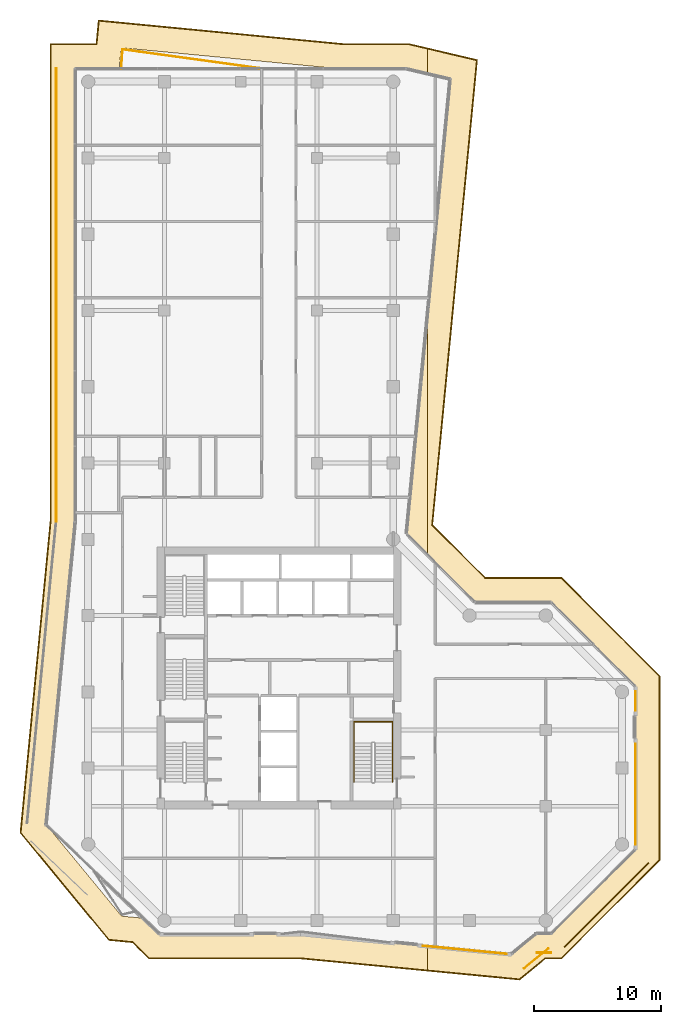
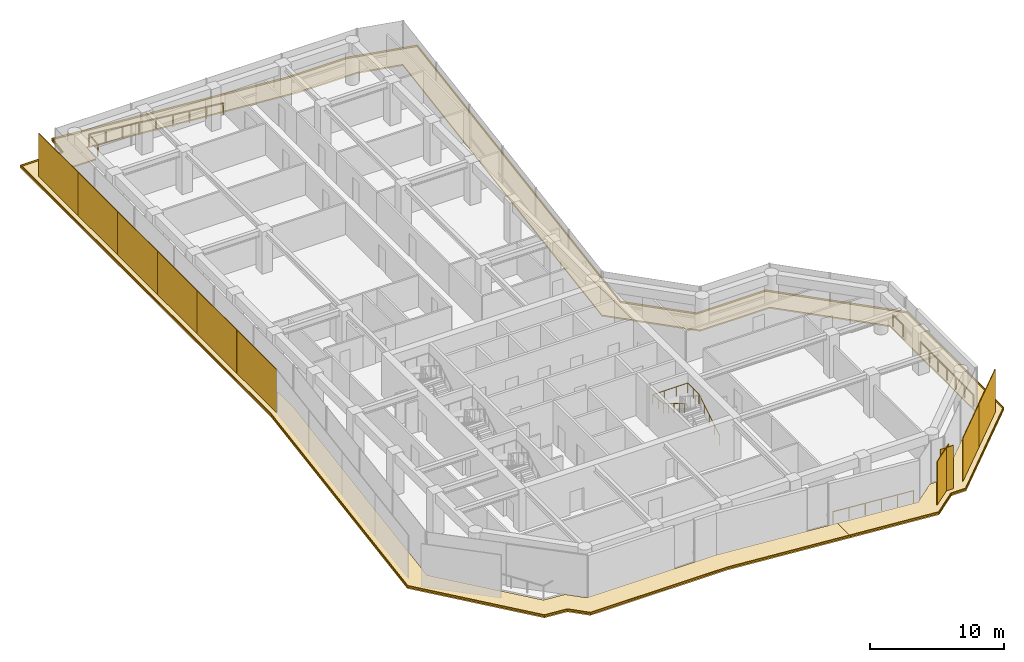
# One storey, part 23 of 23: 15 coverings, 5 railings.
"""IFC4 building model written with IfcOpenShell, lengths in metres."""

from ifc_helpers import new_model, si_unit, direction, frame, origin, origin_2d, place, context, subcontext, project, spatial, polyline, rectangle, circle, outline, extrude, material, layer, layer_set, type_object, element, save


model = new_model("IFC4")

# Units and contexts
model_context = context("Model", 3, precision=1e-05, world=origin(), true_north=direction((0.0, 1.0)))
body_context = subcontext(model_context, "Body", "Model", "MODEL_VIEW")
ifc_project = project(units=[si_unit("LENGTHUNIT", "METRE"), si_unit("AREAUNIT", "SQUARE_METRE"), si_unit("VOLUMEUNIT", "CUBIC_METRE"), si_unit("PLANEANGLEUNIT", "RADIAN"), si_unit("MASSUNIT", "GRAM", prefix="KILO")], contexts=[model_context])

# Site, building, storey
site_placement = place(None, origin())
site = spatial("IfcSite", under=ifc_project, at=site_placement, CompositionType="ELEMENT")
building_placement = place(site_placement, origin())
building = spatial("IfcBuilding", under=site, at=building_placement, Name="Welwitschia Terrace Campus", CompositionType="ELEMENT")
storey_placement = place(building_placement, frame((0.0, 0.0, 146.60009765625)))
storey = spatial("IfcBuildingStorey", under=building, at=storey_placement, Name="L32", CompositionType="ELEMENT", Elevation=146.60009765625)

# Coverings
ifc_material_1 = material(Name="Bronze mesh aluminium screen", Category="aluminium")
ifc_layer_1 = layer(ifc_material_1, 0.06005859375)
ifc_layer_set_1 = layer_set([ifc_layer_1], Name="Bronze mesh aluminium screen")
covering_type_1 = type_object("IfcCoveringType", Name="Bronze screen 60", PredefinedType="USERDEFINED", material=ifc_layer_set_1)
for number, where, z_axis, x_axis, name in (
    (1, (-2.51611328125, 60.08447265625, 0.0), (0.0, 0.0, 1.0), (0.0, -1.0, 0.0), "Screen L32.0.0"),
    (2, (-2.51611328125, 54.13720703125, 0.0), (0.0, 0.0, 1.0), (0.0, -1.0, 0.0), "Screen L32.0.1"),
    (3, (-2.51611328125, 48.18994140625, 0.0), (0.0, 0.0, 1.0), (0.0, -1.0, 0.0), "Screen L32.0.2"),
    (4, (-2.51611328125, 42.242919921875, 0.0), (0.0, 0.0, 1.0), (0.0, -1.0, 0.0), "Screen L32.0.3"),
    (5, (-2.51611328125, 36.295654296875, 0.0), (0.0, 0.0, 1.0), (0.0, -1.0, 0.0), "Screen L32.0.4"),
    (6, (-2.51611328125, 30.348388671875, 0.0), (0.0, 0.0, 1.0), (0.0, -1.0, 0.0), "Screen L32.0.5"),
):
    element("IfcCovering", number, at=place(storey_placement, frame(where, z_axis=z_axis, x_axis=x_axis)), inside=storey, type_object=covering_type_1, Name=name, ObjectType="SCREEN", PredefinedType="USERDEFINED", context=body_context, shape_type="SweptSolid", body=[
        extrude(rectangle(XDim=5.92724609375, YDim=0.06005859375, at=origin_2d()), origin(), (0.0, 0.0, 1.0), 3.949951171875),
    ])
covering_1_placement = place(storey_placement, frame((35.2333984375, -6.98388671875, 0.0), z_axis=(0.0, 0.0, 1.0), x_axis=(0.771624583388, 0.636078220278, 0.0)))
element("IfcCovering", 7, at=covering_1_placement, inside=storey, type_object=covering_type_1, Name="Screen L32.5.0", ObjectType="SCREEN", PredefinedType="USERDEFINED", context=body_context, shape_type="SweptSolid", body=[
    extrude(rectangle(XDim=2.498046875, YDim=0.06005859375, at=origin_2d()), origin(), (0.0, 0.0, 1.0), 3.949951171875),
])
covering_2_placement = place(storey_placement, frame((35.85791015625, -6.51611328125, 0.0), z_axis=(0.0, 0.0, 1.0), x_axis=(1.0, 0.0, 0.0)))
element("IfcCovering", 8, at=covering_2_placement, inside=storey, type_object=covering_type_1, Name="Screen L32.6.0", ObjectType="SCREEN", PredefinedType="USERDEFINED", context=body_context, shape_type="SweptSolid", body=[
    extrude(rectangle(XDim=1.140869140625, YDim=0.06005859375, at=origin_2d()), origin(), (0.0, 0.0, 1.0), 3.949951171875),
])
for number, where, z_axis, x_axis, name in (
    (9, (39.1240234375, -4.43408203125, 0.0), (0.0, 0.0, 1.0), (0.707106781187, 0.707106781187, 0.0), "Screen L32.7.0"),
    (10, (42.43408203125, -1.1240234375, 0.0), (0.0, 0.0, 1.0), (0.707106781187, 0.707106781187, 0.0), "Screen L32.7.1"),
):
    element("IfcCovering", number, at=place(storey_placement, frame(where, z_axis=z_axis, x_axis=x_axis)), inside=storey, type_object=covering_type_1, Name=name, ObjectType="SCREEN", PredefinedType="USERDEFINED", context=body_context, shape_type="SweptSolid", body=[
        extrude(rectangle(XDim=4.660888671875, YDim=0.06005859375, at=origin_2d()), origin(), (0.0, 0.0, 1.0), 3.949951171875),
    ])

# Railings
ifc_material_2 = material(Name="Stainless steel grade 316", Category="steel")
railing_type_1 = type_object("IfcRailingType", Name="Guard 1100", PredefinedType="GUARDRAIL", material=ifc_material_2)
railing_1_placement = place(storey_placement, frame((2.60009765625, 63.05810546875, 0.0)))
element("IfcRailing", 11, at=railing_1_placement, inside=storey, type_object=railing_type_1, Name="Guard floor edge L32.1", PredefinedType="GUARDRAIL", context=body_context, shape_type="SweptSolid", body=[
    extrude(circle(Radius=0.02392578125, at=origin_2d()), frame((0.0, 0.0, 1.076171875), z_axis=(0.066954680134, 0.997756017676, 0.0), x_axis=(-0.997756017676, 0.066954680134, 0.0)), (0.0, 0.0, 1.0), 1.48779296875),
    extrude(circle(Radius=0.02392578125, at=origin_2d()), frame((0.099609375, 1.484375, 1.076171875), z_axis=(0.990587473704, -0.136881178185, 0.0), x_axis=(0.136881178185, 0.990587473704, 0.0)), (0.0, 0.0, 1.0), 10.84423828125),
    extrude(circle(Radius=0.02099609375, at=origin_2d()), origin(), (0.0, 0.0, 1.0), 1.052001953125),
    extrude(circle(Radius=0.02099609375, at=origin_2d()), frame((0.099609375, 1.484375, 0.0)), (0.0, 0.0, 1.0), 1.052001953125),
    extrude(circle(Radius=0.02099609375, at=origin_2d()), frame((1.4423828125, 1.298828125, 0.0)), (0.0, 0.0, 1.0), 1.052001953125),
    extrude(circle(Radius=0.02099609375, at=origin_2d()), frame((2.78515625, 1.11328125, 0.0)), (0.0, 0.0, 1.0), 1.052001953125),
    extrude(circle(Radius=0.02099609375, at=origin_2d()), frame((4.1279296875, 0.927734375, 0.0)), (0.0, 0.0, 1.0), 1.052001953125),
    extrude(circle(Radius=0.02099609375, at=origin_2d()), frame((5.470703125, 0.7421875, 0.0)), (0.0, 0.0, 1.0), 1.052001953125),
    extrude(circle(Radius=0.02099609375, at=origin_2d()), frame((6.8134765625, 0.556640625, 0.0)), (0.0, 0.0, 1.0), 1.052001953125),
    extrude(circle(Radius=0.02099609375, at=origin_2d()), frame((8.15625, 0.37109375, 0.0)), (0.0, 0.0, 1.0), 1.052001953125),
    extrude(circle(Radius=0.02099609375, at=origin_2d()), frame((9.4990234375, 0.185546875, 0.0)), (0.0, 0.0, 1.0), 1.052001953125),
    extrude(circle(Radius=0.02099609375, at=origin_2d()), frame((10.841796875, 0.0, 0.0)), (0.0, 0.0, 1.0), 1.052001953125),
])
railing_2_placement = place(storey_placement, frame((32.92333984375, -6.6201171875, 0.0)))
element("IfcRailing", 12, at=railing_2_placement, inside=storey, type_object=railing_type_1, Name="Guard floor edge L32.4", PredefinedType="GUARDRAIL", context=body_context, shape_type="SweptSolid", body=[
    extrude(circle(Radius=0.02392578125, at=origin_2d()), frame((0.0, 0.0, 1.076171875), z_axis=(-0.995394442796, 0.095863983077, 0.0), x_axis=(-0.095863983077, -0.995394442796, 0.0)), (0.0, 0.0, 1.0), 6.629150390625),
    extrude(circle(Radius=0.02099609375, at=origin_2d()), origin(), (0.0, 0.0, 1.0), 1.052001953125),
    extrude(circle(Radius=0.02099609375, at=origin_2d()), frame((-1.31982421875, 0.127197265625, 0.0)), (0.0, 0.0, 1.0), 1.052001953125),
    extrude(circle(Radius=0.02099609375, at=origin_2d()), frame((-2.639404296875, 0.254150390625, 0.0)), (0.0, 0.0, 1.0), 1.052001953125),
    extrude(circle(Radius=0.02099609375, at=origin_2d()), frame((-3.959228515625, 0.38134765625, 0.0)), (0.0, 0.0, 1.0), 1.052001953125),
    extrude(circle(Radius=0.02099609375, at=origin_2d()), frame((-5.27880859375, 0.50830078125, 0.0)), (0.0, 0.0, 1.0), 1.052001953125),
    extrude(circle(Radius=0.02099609375, at=origin_2d()), frame((-6.5986328125, 0.635498046875, 0.0)), (0.0, 0.0, 1.0), 1.052001953125),
])
railing_3_placement = place(storey_placement, frame((43.05810546875, 9.906005859375, 0.0)))
element("IfcRailing", 13, at=railing_3_placement, inside=storey, type_object=railing_type_1, Name="Guard floor edge L32.5", PredefinedType="GUARDRAIL", context=body_context, shape_type="SweptSolid", body=[
    extrude(circle(Radius=0.02392578125, at=origin_2d()), frame((0.0, 0.0, 1.076171875), z_axis=(0.0, -1.0, 0.0), x_axis=(1.0, 0.0, 0.0)), (0.0, 0.0, 1.0), 7.93115234375),
    extrude(circle(Radius=0.02099609375, at=origin_2d()), origin(), (0.0, 0.0, 1.0), 1.052001953125),
    extrude(circle(Radius=0.02099609375, at=origin_2d()), frame((0.0, -1.32177734375, 0.0)), (0.0, 0.0, 1.0), 1.052001953125),
    extrude(circle(Radius=0.02099609375, at=origin_2d()), frame((0.0, -2.643798828125, 0.0)), (0.0, 0.0, 1.0), 1.052001953125),
    extrude(circle(Radius=0.02099609375, at=origin_2d()), frame((0.0, -3.965576171875, 0.0)), (0.0, 0.0, 1.0), 1.052001953125),
    extrude(circle(Radius=0.02099609375, at=origin_2d()), frame((0.0, -5.287353515625, 0.0)), (0.0, 0.0, 1.0), 1.052001953125),
    extrude(circle(Radius=0.02099609375, at=origin_2d()), frame((0.0, -6.609375, 0.0)), (0.0, 0.0, 1.0), 1.052001953125),
    extrude(circle(Radius=0.02099609375, at=origin_2d()), frame((0.0, -7.93115234375, 0.0)), (0.0, 0.0, 1.0), 1.052001953125),
])
railing_4_placement = place(storey_placement, frame((43.05810546875, 14.025146484375, 0.0)))
element("IfcRailing", 14, at=railing_4_placement, inside=storey, type_object=railing_type_1, Name="Guard floor edge L32.6", PredefinedType="GUARDRAIL", context=body_context, shape_type="SweptSolid", body=[
    extrude(circle(Radius=0.02392578125, at=origin_2d()), frame((0.0, 0.0, 1.076171875), z_axis=(0.0, -1.0, 0.0), x_axis=(1.0, 0.0, 0.0)), (0.0, 0.0, 1.0), 1.4931640625),
    extrude(circle(Radius=0.02099609375, at=origin_2d()), origin(), (0.0, 0.0, 1.0), 1.052001953125),
    extrude(circle(Radius=0.02099609375, at=origin_2d()), frame((0.0, -1.4931640625, 0.0)), (0.0, 0.0, 1.0), 1.052001953125),
])
ifc_material_3 = material(Name="Steel S355", Category="steel")
railing_type_2 = type_object("IfcRailingType", Name="Stair handrail 900", PredefinedType="HANDRAIL", material=ifc_material_3)
railing_5_placement = place(storey_placement, frame((23.949951171875, 6.89990234375, 0.1748046875)))
element("IfcRailing", 15, at=railing_5_placement, inside=storey, type_object=railing_type_2, Name="L32 S2 stair handrail", PredefinedType="HANDRAIL", context=body_context, shape_type="SweptSolid", body=[
    extrude(circle(Radius=0.02392578125, at=origin_2d()), frame((0.0, 0.0, 0.8759765625), z_axis=(0.0, 0.847998304005, 0.529998940003), x_axis=(-1.0, 0.0, 0.0)), (0.0, 0.0, 1.0), 3.632080078125),
    extrude(circle(Radius=0.02392578125, at=origin_2d()), frame((0.0, 3.080078125, 2.80078125), z_axis=(0.0, 1.0, 0.0), x_axis=(-1.0, 0.0, 0.0)), (0.0, 0.0, 1.0), 1.669921875),
    extrude(circle(Radius=0.02392578125, at=origin_2d()), frame((0.0, 4.75, 2.80078125), z_axis=(-1.0, 0.0, 0.0), x_axis=(0.0, -1.0, 0.0)), (0.0, 0.0, 1.0), 3.050048828125),
    extrude(circle(Radius=0.02392578125, at=origin_2d()), frame((-3.050048828125, 4.75, 2.80078125), z_axis=(0.0, -0.99455077262, 0.104253348533), x_axis=(1.0, 0.0, 0.0)), (0.0, 0.0, 1.0), 1.678955078125),
    extrude(circle(Radius=0.02392578125, at=origin_2d()), frame((-3.050048828125, 3.080078125, 2.97607421875), z_axis=(0.0, -0.847998304005, 0.529998940003), x_axis=(1.0, 0.0, 0.0)), (0.0, 0.0, 1.0), 3.632080078125),
    extrude(circle(Radius=0.02099609375, at=origin_2d()), origin(), (0.0, 0.0, 1.0), 0.851806640625),
    extrude(circle(Radius=0.02099609375, at=origin_2d()), frame((0.0, 0.77001953125, 0.481201171875)), (0.0, 0.0, 1.0), 0.851806640625),
    extrude(circle(Radius=0.02099609375, at=origin_2d()), frame((0.0, 1.5400390625, 0.96240234375)), (0.0, 0.0, 1.0), 0.851806640625),
    extrude(circle(Radius=0.02099609375, at=origin_2d()), frame((0.0, 2.31005859375, 1.44384765625)), (0.0, 0.0, 1.0), 0.851806640625),
    extrude(circle(Radius=0.02099609375, at=origin_2d()), frame((0.0, 3.080078125, 1.925048828125)), (0.0, 0.0, 1.0), 0.851806640625),
    extrude(circle(Radius=0.02099609375, at=origin_2d()), frame((0.0, 3.9150390625, 1.925048828125)), (0.0, 0.0, 1.0), 0.851806640625),
    extrude(circle(Radius=0.02099609375, at=origin_2d()), frame((0.0, 4.75, 1.925048828125)), (0.0, 0.0, 1.0), 0.851806640625),
    extrude(circle(Radius=0.02099609375, at=origin_2d()), frame((-1.0166015625, 4.75, 1.925048828125)), (0.0, 0.0, 1.0), 0.851806640625),
    extrude(circle(Radius=0.02099609375, at=origin_2d()), frame((-2.033447265625, 4.75, 1.925048828125)), (0.0, 0.0, 1.0), 0.851806640625),
    extrude(circle(Radius=0.02099609375, at=origin_2d()), frame((-3.050048828125, 4.75, 1.925048828125)), (0.0, 0.0, 1.0), 0.851806640625),
    extrude(circle(Radius=0.02099609375, at=origin_2d()), frame((-3.050048828125, 3.9150390625, 2.0126953125)), (0.0, 0.0, 1.0), 0.851806640625),
    extrude(circle(Radius=0.02099609375, at=origin_2d()), frame((-3.050048828125, 3.080078125, 2.10009765625)), (0.0, 0.0, 1.0), 0.851806640625),
    extrude(circle(Radius=0.02099609375, at=origin_2d()), frame((-3.050048828125, 2.31005859375, 2.581298828125)), (0.0, 0.0, 1.0), 0.851806640625),
    extrude(circle(Radius=0.02099609375, at=origin_2d()), frame((-3.050048828125, 1.5400390625, 3.0625)), (0.0, 0.0, 1.0), 0.851806640625),
    extrude(circle(Radius=0.02099609375, at=origin_2d()), frame((-3.050048828125, 0.77001953125, 3.5439453125)), (0.0, 0.0, 1.0), 0.851806640625),
    extrude(circle(Radius=0.02099609375, at=origin_2d()), frame((-3.050048828125, 0.0, 4.025146484375)), (0.0, 0.0, 1.0), 0.851806640625),
])

# Coverings
ifc_material_4 = material(Name="Bronze anodised aluminium", Category="aluminium")
ifc_layer_2 = layer(ifc_material_4, 0.1201171875)
ifc_layer_set_2 = layer_set([ifc_layer_2], Name="Bronze anodised aluminium")
covering_type_2 = type_object("IfcCoveringType", Name="Sunshade band 2000", PredefinedType="USERDEFINED", material=ifc_layer_set_2)
covering_3_placement = place(storey_placement, frame((0.0, 0.0, -0.25)))
element("IfcCovering", 16, at=covering_3_placement, inside=storey, type_object=covering_type_2, Name="SUNSHADE L32.SW0", ObjectType="SUNSHADE", PredefinedType="USERDEFINED", context=body_context, shape_type="SweptSolid", body=[
    extrude(outline(polyline([(0.79248046875, 66.855712890625), (20.06591796875, 65.0), (25.232666015625, 65.0), (26.705322265625, 64.652587890625), (26.705322265625, 62.597900390625), (25.0, 63.0), (19.9697265625, 63.0), (2.591796875, 64.67333984375), (2.4306640625, 63.0), (-1.0, 63.0), (-1.0, 27.3720703125), (-3.294677734375, 3.541748046875), (2.629638671875, -3.644775390625), (4.401123046875, -3.8154296875), (5.585693359375, -5.0), (16.70361328125, -5.0), (26.705322265625, -5.963134765625), (26.705322265625, -7.972412109375), (16.607421875, -7.0), (4.75732421875, -7.0), (3.494873046875, -5.7373046875), (1.61328125, -5.55615234375), (-5.36474609375, 2.908935546875), (-3.0, 27.46826171875), (-3.0, 65.0), (0.614013671875, 65.0), (0.79248046875, 66.855712890625)])), origin(), (0.0, 0.0, 1.0), 0.119873046875),
])
covering_4_placement = place(storey_placement, frame((0.0, 0.0, -0.25)))
element("IfcCovering", 17, at=covering_4_placement, inside=storey, type_object=covering_type_2, Name="SUNSHADE L32.SW1", ObjectType="SUNSHADE", PredefinedType="USERDEFINED", context=body_context, shape_type="SweptSolid", body=[
    extrude(outline(polyline([(25.025634765625, 26.388671875), (26.705322265625, 43.834716796875), (26.705322265625, 24.708740234375), (25.025634765625, 26.388671875)])), origin(), (0.0, 0.0, 1.0), 0.119873046875),
])
covering_5_placement = place(storey_placement, frame((0.0, 0.0, -0.25)))
element("IfcCovering", 18, at=covering_5_placement, inside=storey, type_object=covering_type_2, Name="SUNSHADE L32.SE0", ObjectType="SUNSHADE", PredefinedType="USERDEFINED", context=body_context, shape_type="SweptSolid", body=[
    extrude(outline(polyline([(30.630126953125, 63.727294921875), (27.106689453125, 27.135986328125), (31.24267578125, 23.0), (37.24267578125, 23.0), (45.0, 15.24267578125), (45.0, 0.75732421875), (37.24267578125, -7.0), (35.974609375, -7.0), (33.94921875, -8.669921875), (26.705322265625, -7.972412109375), (26.705322265625, -5.963134765625), (33.316162109375, -6.599609375), (35.256591796875, -5.0), (36.414306640625, -5.0), (43.0, 1.585693359375), (43.0, 14.414306640625), (36.414306640625, 21.0), (30.414306640625, 21.0), (26.705322265625, 24.708740234375), (26.705322265625, 43.834716796875), (28.471923828125, 62.181396484375), (26.705322265625, 62.597900390625), (26.705322265625, 64.652587890625), (30.630126953125, 63.727294921875)])), origin(), (0.0, 0.0, 1.0), 0.119873046875),
])
ifc_material_5 = material(Name="Bronze anodised aluminium", Category="aluminium")
ifc_layer_3 = layer(ifc_material_5, 0.06005859375)
ifc_layer_set_3 = layer_set([ifc_layer_3], Name="Bronze anodised aluminium")
covering_type_3 = type_object("IfcCoveringType", Name="Sunshade lip 60", PredefinedType="USERDEFINED", material=ifc_layer_set_3)
covering_6_placement = place(storey_placement, frame((0.0, 0.0, -0.130126953125)))
element("IfcCovering", 19, at=covering_6_placement, inside=storey, type_object=covering_type_3, Name="SUNSHADE LIP L32.SW0.0", ObjectType="SUNSHADE", PredefinedType="USERDEFINED", context=body_context, shape_type="SweptSolid", body=[
    extrude(outline(polyline([(20.06591796875, 65.0), (25.232666015625, 65.0), (26.705322265625, 64.652587890625), (26.705322265625, 64.591064453125), (25.2255859375, 64.93994140625), (20.06298828125, 64.93994140625), (0.8466796875, 66.790283203125), (0.66845703125, 64.93994140625), (-2.93994140625, 64.93994140625), (-2.93994140625, 27.46533203125), (-5.302734375, 2.927978515625), (1.643798828125, -5.498779296875), (3.52197265625, -5.6796875), (4.7822265625, -6.93994140625), (16.6103515625, -6.93994140625), (26.705322265625, -7.912109375), (26.705322265625, -7.972412109375), (16.607421875, -7.0), (4.75732421875, -7.0), (3.494873046875, -5.7373046875), (1.61328125, -5.55615234375), (-5.36474609375, 2.908935546875), (-3.0, 27.46826171875), (-3.0, 65.0), (0.614013671875, 65.0), (0.79248046875, 66.855712890625), (20.06591796875, 65.0)])), origin(), (0.0, 0.0, 1.0), 0.130126953125),
])
covering_7_placement = place(storey_placement, frame((0.0, 0.0, -0.130126953125)))
element("IfcCovering", 20, at=covering_7_placement, inside=storey, type_object=covering_type_3, Name="SUNSHADE LIP L32.SE0.0", ObjectType="SUNSHADE", PredefinedType="USERDEFINED", context=body_context, shape_type="SweptSolid", body=[
    extrude(outline(polyline([(27.106689453125, 27.135986328125), (31.24267578125, 23.0), (37.24267578125, 23.0), (45.0, 15.24267578125), (45.0, 0.75732421875), (37.24267578125, -7.0), (35.974609375, -7.0), (33.94921875, -8.669921875), (26.705322265625, -7.972412109375), (26.705322265625, -7.912109375), (33.93017578125, -8.607666015625), (35.953125, -6.93994140625), (37.2177734375, -6.93994140625), (44.93994140625, 0.7822265625), (44.93994140625, 15.2177734375), (37.2177734375, 22.93994140625), (31.2177734375, 22.93994140625), (27.044189453125, 27.113525390625), (30.5654296875, 63.680908203125), (26.705322265625, 64.591064453125), (26.705322265625, 64.652587890625), (30.630126953125, 63.727294921875), (27.106689453125, 27.135986328125)])), origin(), (0.0, 0.0, 1.0), 0.130126953125),
])

save(model, "model.ifc")
